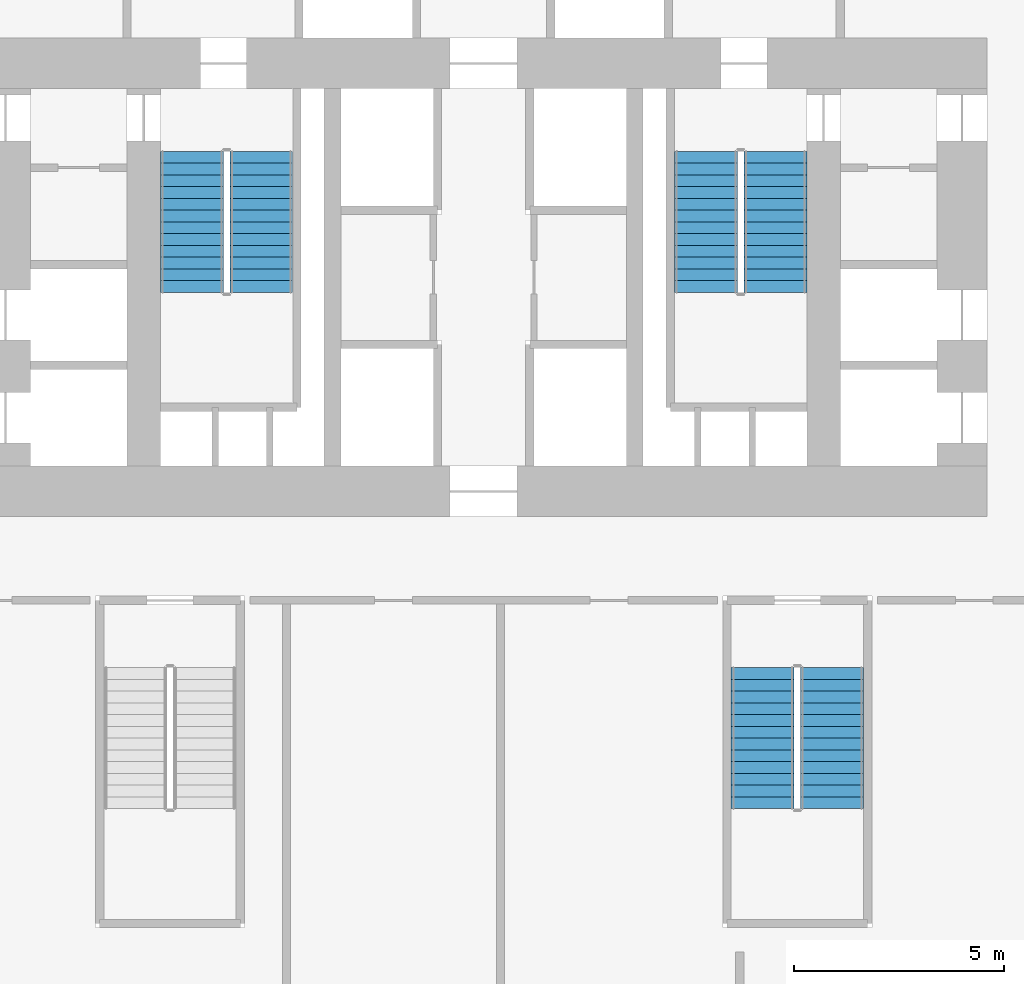
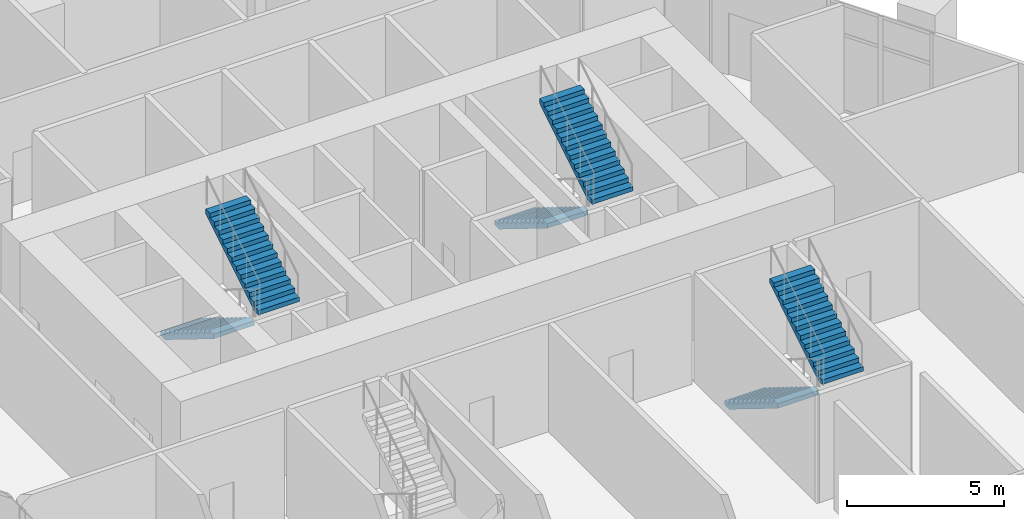
# One storey, part 17 of 18: 6 stair flights, 3 elements without a shape of their own.
"""IFC4 building model written with IfcOpenShell, lengths in metres."""

from ifc_helpers import new_model, si_unit, direction, frame, origin, place, context, subcontext, project, spatial, polyline, outline, extrude, material, type_object, element, aggregate, save


model = new_model("IFC4")

# Units and contexts
model_context = context("Model", 3, precision=1e-05, world=origin(), true_north=direction((0.0, 1.0)))
body_context = subcontext(model_context, "Body", "Model", "MODEL_VIEW")
ifc_project = project(units=[si_unit("LENGTHUNIT", "METRE"), si_unit("AREAUNIT", "SQUARE_METRE"), si_unit("VOLUMEUNIT", "CUBIC_METRE"), si_unit("PLANEANGLEUNIT", "RADIAN"), si_unit("MASSUNIT", "GRAM", prefix="KILO")], contexts=[model_context])

# Site, building, storey
site_placement = place(None, origin())
site = spatial("IfcSite", under=ifc_project, at=site_placement, CompositionType="ELEMENT")
building_placement = place(site_placement, origin())
building = spatial("IfcBuilding", under=site, at=building_placement, Name="Ostrander Bayou Hotel Tower", CompositionType="ELEMENT")
storey_placement = place(building_placement, frame((0.0, 0.0, 14.5)))
storey = spatial("IfcBuildingStorey", under=building, at=storey_placement, Name="L03", CompositionType="ELEMENT", Elevation=14.5)

# Stair, stair flights
ifc_material_1 = material(Name="Concrete f'c 45 MPa", Category="concrete")
stair_type = type_object("IfcStairType", Name="ST1 exit stair 1500 mm f'c 45 MPa", PredefinedType="HALF_TURN_STAIR", material=ifc_material_1)
stair_1_placement = place(storey_placement, origin())
stair_1 = element("IfcStair", 1, at=stair_1_placement, inside=storey, type_object=stair_type, Name="L03 exit stair A", PredefinedType="HALF_TURN_STAIR")
ifc_material_2 = material(Name="Concrete f'c 45 MPa", Category="concrete")
stair_flight_type = type_object("IfcStairFlightType", Name="SF1 stair flight 1500 mm f'c 45 MPa", PredefinedType="STRAIGHT", material=ifc_material_2)
stair_flight_1_placement = place(storey_placement, frame((-6.949951171875, 7.0, 0.0), z_axis=(0.0, 0.0, 1.0), x_axis=(0.0, -1.0, 0.0)))
stair_flight_1 = element("IfcStairFlight", 2, at=stair_flight_1_placement, type_object=stair_flight_type, Name="STA flight 1", NumberOfRisers=13, NumberOfTreads=12, PredefinedType="STRAIGHT", RiserHeight=0.173076923, TreadLength=0.28, context=body_context, shape_type="SweptSolid", body=[
    extrude(outline(polyline([(0.0, 0.0), (0.0, 0.173095703125), (0.280029296875, 0.173095703125), (0.280029296875, 0.34619140625), (0.56005859375, 0.34619140625), (0.56005859375, 0.519287109375), (0.840087890625, 0.519287109375), (0.840087890625, 0.6923828125), (1.1201171875, 0.6923828125), (1.1201171875, 0.865478515625), (1.39990234375, 0.865478515625), (1.39990234375, 1.03857421875), (1.679931640625, 1.03857421875), (1.679931640625, 1.21142578125), (1.9599609375, 1.21142578125), (1.9599609375, 1.384521484375), (2.239990234375, 1.384521484375), (2.239990234375, 1.5576171875), (2.52001953125, 1.5576171875), (2.52001953125, 1.730712890625), (2.800048828125, 1.730712890625), (2.800048828125, 1.90380859375), (3.080078125, 1.90380859375), (3.080078125, 2.076904296875), (3.360107421875, 2.076904296875), (3.360107421875, 2.25), (3.360107421875, 1.900634765625), (0.28515625, 0.0), (0.0, 0.0)])), frame((0.0, 0.75, 0.0), z_axis=(0.0, -1.0, 0.0), x_axis=(1.0, 0.0, 0.0)), (0.0, 0.0, 1.0), 1.5),
])
stair_flight_2_placement = place(storey_placement, frame((-5.300048828125, 3.639892578125, 2.25), z_axis=(0.0, 0.0, 1.0), x_axis=(0.0, 1.0, 0.0)))
stair_flight_2 = element("IfcStairFlight", 3, at=stair_flight_2_placement, type_object=stair_flight_type, Name="STA flight 2", NumberOfRisers=13, NumberOfTreads=12, PredefinedType="STRAIGHT", RiserHeight=0.173076923, TreadLength=0.28, context=body_context, shape_type="SweptSolid", body=[
    extrude(outline(polyline([(0.0, 0.0), (0.0, 0.173095703125), (0.280029296875, 0.173095703125), (0.280029296875, 0.34619140625), (0.56005859375, 0.34619140625), (0.56005859375, 0.519287109375), (0.840087890625, 0.519287109375), (0.840087890625, 0.6923828125), (1.1201171875, 0.6923828125), (1.1201171875, 0.865478515625), (1.39990234375, 0.865478515625), (1.39990234375, 1.03857421875), (1.679931640625, 1.03857421875), (1.679931640625, 1.21142578125), (1.9599609375, 1.21142578125), (1.9599609375, 1.384521484375), (2.239990234375, 1.384521484375), (2.239990234375, 1.5576171875), (2.52001953125, 1.5576171875), (2.52001953125, 1.730712890625), (2.800048828125, 1.730712890625), (2.800048828125, 1.90380859375), (3.080078125, 1.90380859375), (3.080078125, 2.076904296875), (3.360107421875, 2.076904296875), (3.360107421875, 2.25), (3.360107421875, 1.900634765625), (0.28515625, 0.0), (0.0, 0.0)])), frame((0.0, 0.75, 0.0), z_axis=(0.0, -1.0, 0.0), x_axis=(1.0, 0.0, 0.0)), (0.0, 0.0, 1.0), 1.5),
])
aggregate(stair_1, [stair_flight_1, stair_flight_2])

stair_2_placement = place(storey_placement, origin())
stair_2 = element("IfcStair", 4, at=stair_2_placement, inside=storey, type_object=stair_type, Name="L03 exit stair B", PredefinedType="HALF_TURN_STAIR")
stair_flight_3_placement = place(storey_placement, frame((5.300048828125, 7.0, 0.0), z_axis=(0.0, 0.0, 1.0), x_axis=(0.0, -1.0, 0.0)))
stair_flight_3 = element("IfcStairFlight", 5, at=stair_flight_3_placement, type_object=stair_flight_type, Name="STB flight 1", NumberOfRisers=13, NumberOfTreads=12, PredefinedType="STRAIGHT", RiserHeight=0.173076923, TreadLength=0.28, context=body_context, shape_type="SweptSolid", body=[
    extrude(outline(polyline([(0.0, 0.0), (0.0, 0.173095703125), (0.280029296875, 0.173095703125), (0.280029296875, 0.34619140625), (0.56005859375, 0.34619140625), (0.56005859375, 0.519287109375), (0.840087890625, 0.519287109375), (0.840087890625, 0.6923828125), (1.1201171875, 0.6923828125), (1.1201171875, 0.865478515625), (1.39990234375, 0.865478515625), (1.39990234375, 1.03857421875), (1.679931640625, 1.03857421875), (1.679931640625, 1.21142578125), (1.9599609375, 1.21142578125), (1.9599609375, 1.384521484375), (2.239990234375, 1.384521484375), (2.239990234375, 1.5576171875), (2.52001953125, 1.5576171875), (2.52001953125, 1.730712890625), (2.800048828125, 1.730712890625), (2.800048828125, 1.90380859375), (3.080078125, 1.90380859375), (3.080078125, 2.076904296875), (3.360107421875, 2.076904296875), (3.360107421875, 2.25), (3.360107421875, 1.900634765625), (0.28515625, 0.0), (0.0, 0.0)])), frame((0.0, 0.75, 0.0), z_axis=(0.0, -1.0, 0.0), x_axis=(1.0, 0.0, 0.0)), (0.0, 0.0, 1.0), 1.5),
])
stair_flight_4_placement = place(storey_placement, frame((6.949951171875, 3.639892578125, 2.25), z_axis=(0.0, 0.0, 1.0), x_axis=(0.0, 1.0, 0.0)))
stair_flight_4 = element("IfcStairFlight", 6, at=stair_flight_4_placement, type_object=stair_flight_type, Name="STB flight 2", NumberOfRisers=13, NumberOfTreads=12, PredefinedType="STRAIGHT", RiserHeight=0.173076923, TreadLength=0.28, context=body_context, shape_type="SweptSolid", body=[
    extrude(outline(polyline([(0.0, 0.0), (0.0, 0.173095703125), (0.280029296875, 0.173095703125), (0.280029296875, 0.34619140625), (0.56005859375, 0.34619140625), (0.56005859375, 0.519287109375), (0.840087890625, 0.519287109375), (0.840087890625, 0.6923828125), (1.1201171875, 0.6923828125), (1.1201171875, 0.865478515625), (1.39990234375, 0.865478515625), (1.39990234375, 1.03857421875), (1.679931640625, 1.03857421875), (1.679931640625, 1.21142578125), (1.9599609375, 1.21142578125), (1.9599609375, 1.384521484375), (2.239990234375, 1.384521484375), (2.239990234375, 1.5576171875), (2.52001953125, 1.5576171875), (2.52001953125, 1.730712890625), (2.800048828125, 1.730712890625), (2.800048828125, 1.90380859375), (3.080078125, 1.90380859375), (3.080078125, 2.076904296875), (3.360107421875, 2.076904296875), (3.360107421875, 2.25), (3.360107421875, 1.900634765625), (0.28515625, 0.0), (0.0, 0.0)])), frame((0.0, 0.75, 0.0), z_axis=(0.0, -1.0, 0.0), x_axis=(1.0, 0.0, 0.0)), (0.0, 0.0, 1.0), 1.5),
])
aggregate(stair_2, [stair_flight_3, stair_flight_4])

stair_3_placement = place(storey_placement, origin())
stair_3 = element("IfcStair", 7, at=stair_3_placement, inside=storey, type_object=stair_type, Name="L03 exit stair C", PredefinedType="HALF_TURN_STAIR")
stair_flight_5_placement = place(storey_placement, frame((6.64990234375, -5.300048828125, 0.0), z_axis=(0.0, 0.0, 1.0), x_axis=(0.0, -1.0, 0.0)))
stair_flight_5 = element("IfcStairFlight", 8, at=stair_flight_5_placement, type_object=stair_flight_type, Name="STC flight 1", NumberOfRisers=13, NumberOfTreads=12, PredefinedType="STRAIGHT", RiserHeight=0.173076923, TreadLength=0.28, context=body_context, shape_type="SweptSolid", body=[
    extrude(outline(polyline([(0.0, 0.0), (0.0, 0.173095703125), (0.280029296875, 0.173095703125), (0.280029296875, 0.34619140625), (0.56005859375, 0.34619140625), (0.56005859375, 0.519287109375), (0.840087890625, 0.519287109375), (0.840087890625, 0.6923828125), (1.1201171875, 0.6923828125), (1.1201171875, 0.865478515625), (1.39990234375, 0.865478515625), (1.39990234375, 1.03857421875), (1.679931640625, 1.03857421875), (1.679931640625, 1.21142578125), (1.9599609375, 1.21142578125), (1.9599609375, 1.384521484375), (2.239990234375, 1.384521484375), (2.239990234375, 1.5576171875), (2.52001953125, 1.5576171875), (2.52001953125, 1.730712890625), (2.800048828125, 1.730712890625), (2.800048828125, 1.90380859375), (3.080078125, 1.90380859375), (3.080078125, 2.076904296875), (3.360107421875, 2.076904296875), (3.360107421875, 2.25), (3.360107421875, 1.900634765625), (0.28515625, 0.0), (0.0, 0.0)])), frame((0.0, 0.75, 0.0), z_axis=(0.0, -1.0, 0.0), x_axis=(1.0, 0.0, 0.0)), (0.0, 0.0, 1.0), 1.5),
])
stair_flight_6_placement = place(storey_placement, frame((8.300048828125, -8.659912109375, 2.25), z_axis=(0.0, 0.0, 1.0), x_axis=(0.0, 1.0, 0.0)))
stair_flight_6 = element("IfcStairFlight", 9, at=stair_flight_6_placement, type_object=stair_flight_type, Name="STC flight 2", NumberOfRisers=13, NumberOfTreads=12, PredefinedType="STRAIGHT", RiserHeight=0.173076923, TreadLength=0.28, context=body_context, shape_type="SweptSolid", body=[
    extrude(outline(polyline([(0.0, 0.0), (0.0, 0.173095703125), (0.280029296875, 0.173095703125), (0.280029296875, 0.34619140625), (0.56005859375, 0.34619140625), (0.56005859375, 0.519287109375), (0.840087890625, 0.519287109375), (0.840087890625, 0.6923828125), (1.1201171875, 0.6923828125), (1.1201171875, 0.865478515625), (1.39990234375, 0.865478515625), (1.39990234375, 1.03857421875), (1.679931640625, 1.03857421875), (1.679931640625, 1.21142578125), (1.9599609375, 1.21142578125), (1.9599609375, 1.384521484375), (2.239990234375, 1.384521484375), (2.239990234375, 1.5576171875), (2.52001953125, 1.5576171875), (2.52001953125, 1.730712890625), (2.800048828125, 1.730712890625), (2.800048828125, 1.90380859375), (3.080078125, 1.90380859375), (3.080078125, 2.076904296875), (3.360107421875, 2.076904296875), (3.360107421875, 2.25), (3.360107421875, 1.900634765625), (0.28515625, 0.0), (0.0, 0.0)])), frame((0.0, 0.75, 0.0), z_axis=(0.0, -1.0, 0.0), x_axis=(1.0, 0.0, 0.0)), (0.0, 0.0, 1.0), 1.5),
])
aggregate(stair_3, [stair_flight_5, stair_flight_6])

save(model, "model.ifc")
